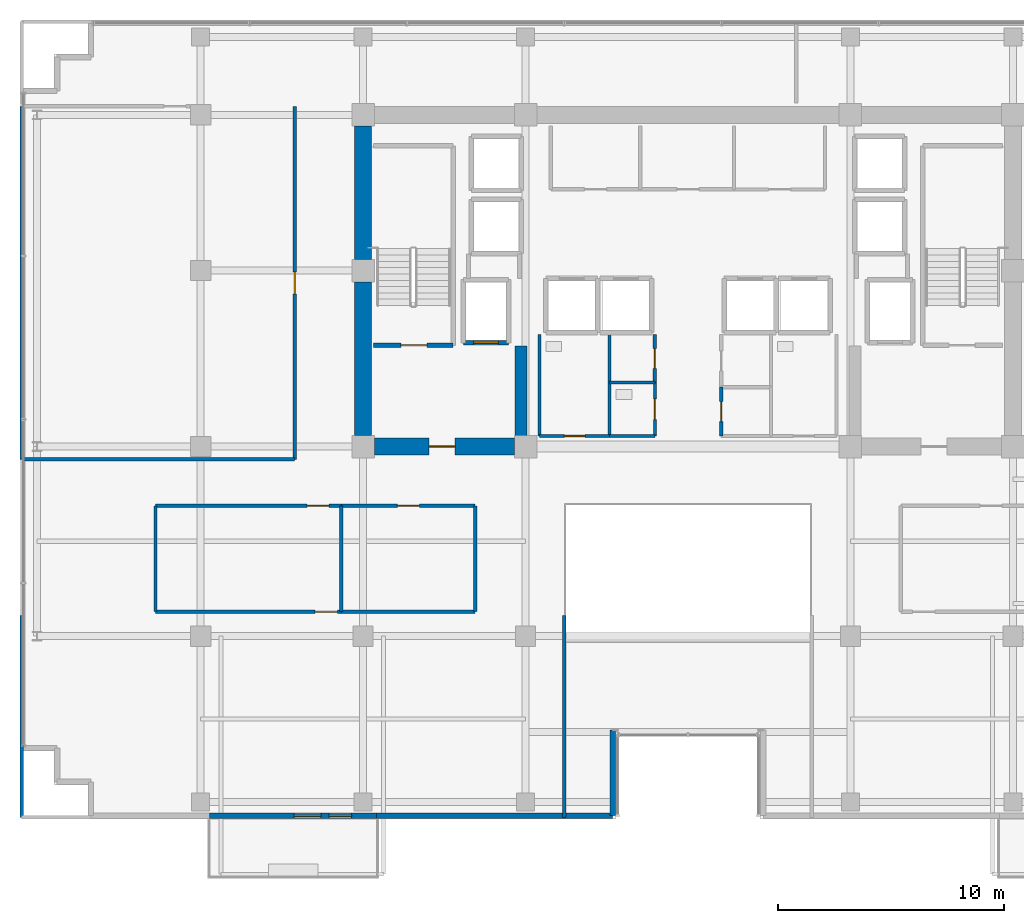
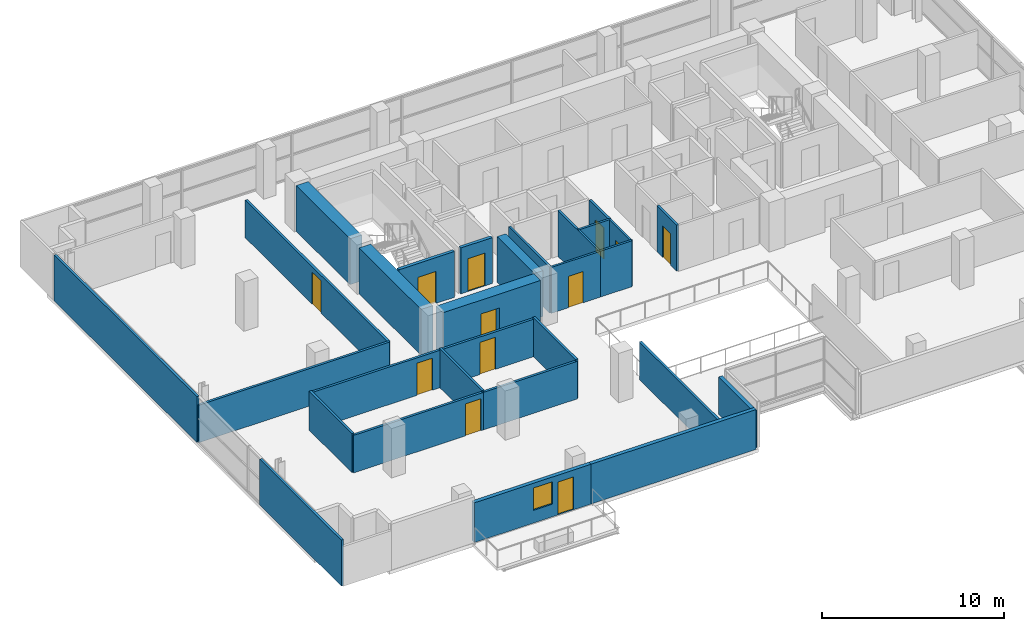
# One storey, part 19 of 25: 29 walls, 12 doors, 1 window, 13 openings.
"""IFC4 building model written with IfcOpenShell, lengths in metres."""

from ifc_helpers import new_model, si_unit, direction, frame, frame_2d, origin, place, context, subcontext, project, spatial, rectangle, extrude, source, transform, mapped, material, layer, layer_set, type_object, element, fill, save


model = new_model("IFC4")

# Units and contexts
model_context = context("Model", 3, precision=1e-05, world=origin(), true_north=direction((0.0, 1.0)))
body_context = subcontext(model_context, "Body", "Model", "MODEL_VIEW")
ifc_project = project(units=[si_unit("LENGTHUNIT", "METRE"), si_unit("AREAUNIT", "SQUARE_METRE"), si_unit("VOLUMEUNIT", "CUBIC_METRE"), si_unit("PLANEANGLEUNIT", "RADIAN"), si_unit("MASSUNIT", "GRAM", prefix="KILO")], contexts=[model_context])

# Site, building, storey
site_placement = place(None, origin())
site = spatial("IfcSite", under=ifc_project, at=site_placement, CompositionType="ELEMENT")
building_placement = place(site_placement, origin())
building = spatial("IfcBuilding", under=site, at=building_placement, Name="Zarnakvel Exchange Tower", CompositionType="ELEMENT")
storey_placement = place(building_placement, frame((0.0, 0.0, 100.0)))
storey = spatial("IfcBuildingStorey", under=building, at=storey_placement, Name="L27", CompositionType="ELEMENT", Elevation=100.0)

# Walls
ifc_material_1 = material(Name="Concrete C60/75", Category="concrete")
ifc_layer_1 = layer(ifc_material_1, 0.75)
ifc_layer_set_1 = layer_set([ifc_layer_1], Name="Concrete C60/75")
wall_type_1 = type_object("IfcWallType", Name="CW-C3", PredefinedType="SHEAR", material=ifc_layer_set_1)
wall_1_placement = place(storey_placement, frame((-14.39990234375, -0.699951171875, 0.0), z_axis=(0.0, 0.0, 1.0), x_axis=(0.0, 1.0, 0.0)))
element("IfcWall", 1, at=wall_1_placement, inside=storey, type_object=wall_type_1, Name="L27 Rear Core Shear Wall W1 (CW-C3)", PredefinedType="SHEAR", context=body_context, shape_type="SweptSolid", body=[
    extrude(rectangle(XDim=6.800048828125, YDim=0.75, at=frame_2d((3.39990234375, 0.0))), origin(), (0.0, 0.0, 1.0), 3.074951171875),
])
wall_2_placement = place(storey_placement, frame((-14.39990234375, 7.10009765625, 0.0), z_axis=(0.0, 0.0, 1.0), x_axis=(0.0, 1.0, 0.0)))
element("IfcWall", 2, at=wall_2_placement, inside=storey, type_object=wall_type_1, Name="L27 Rear Core Shear Wall W2 (CW-C3)", PredefinedType="SHEAR", context=body_context, shape_type="SweptSolid", body=[
    extrude(rectangle(XDim=5.89990234375, YDim=0.75, at=frame_2d((2.949951171875, 0.0))), origin(), (0.0, 0.0, 1.0), 3.074951171875),
])

# Wall, opening, door
wall_3_placement = place(storey_placement, frame((-7.699951171875, -1.199951171875, 0.0), z_axis=(0.0, 0.0, 1.0), x_axis=(-1.0, 0.0, 0.0)))
wall_3 = element("IfcWall", 3, at=wall_3_placement, inside=storey, type_object=wall_type_1, Name="L27 Rear Core Shear Wall SW (CW-C3)", PredefinedType="SHEAR", context=body_context, shape_type="SweptSolid", body=[
    extrude(rectangle(XDim=6.199951171875, YDim=0.75, at=frame_2d((3.10009765625, 0.0))), origin(), (0.0, 0.0, 1.0), 3.074951171875),
])
opening_1_placement = place(wall_3_placement, frame((2.625, 0.0, 0.0)))
opening_1 = element("IfcOpeningElement", 4, at=opening_1_placement, cuts=wall_3, Name="Opening D-L27-03", PredefinedType="OPENING", context=body_context, shape_type="SweptSolid", body=[
    extrude(rectangle(XDim=1.14990234375, YDim=2.14990234375, at=frame_2d((0.574951171875, 1.074951171875))), frame((0.0, 0.385009765625, 0.0), z_axis=(0.0, -1.0, 0.0), x_axis=(1.0, 0.0, 0.0)), (0.0, 0.0, 1.0), 0.77001953125),
])
ifc_material_2 = material(Name="Painted Galvanised Steel S355", Category="steel")
door_type_1 = type_object("IfcDoorType", Name="DT-04", OperationType="NOTDEFINED", PredefinedType="DOOR", material=ifc_material_2)
shared_shape_1 = source(origin(), body_context, "Body", "SweptSolid", [
    extrude(rectangle(XDim=1.14990234375, YDim=2.14990234375, at=frame_2d((0.574951171875, 1.074951171875))), frame((0.0, 0.02490234375, 0.0), z_axis=(0.0, -1.0, 0.0), x_axis=(1.0, 0.0, 0.0)), (0.0, 0.0, 1.0), 0.050048828125),
])
door_1_placement = place(opening_1_placement, origin())
door_1 = element("IfcDoor", 5, at=door_1_placement, inside=storey, type_object=door_type_1, Name="L27 Firefighting Lobby West Door D-L27-03", OperationType="SINGLE_SWING_RIGHT", OverallHeight=2.14990234375, OverallWidth=1.14990234375, PredefinedType="DOOR", context=body_context, shape_type="MappedRepresentation", body=[
    mapped(shared_shape_1, transform((0.0, 0.0, 0.0), x_axis=(1.0, 0.0, 0.0), y_axis=(0.0, 1.0, 0.0), z_axis=(0.0, 0.0, 1.0), scale=1.0)),
])
fill(opening_1, door_1)

# Wall
ifc_layer_2 = layer(ifc_material_1, 0.550048828125)
ifc_layer_set_2 = layer_set([ifc_layer_2], Name="Concrete C60/75")
wall_type_2 = type_object("IfcWallType", Name="CW-C4", PredefinedType="SHEAR", material=ifc_layer_set_2)
wall_4_placement = place(storey_placement, frame((-7.39990234375, -0.824951171875, 0.0), z_axis=(0.0, 0.0, 1.0), x_axis=(0.0, 1.0, 0.0)))
element("IfcWall", 6, at=wall_4_placement, inside=storey, type_object=wall_type_2, Name="L27 Rear Core Shear Wall IW (CW-C4)", PredefinedType="SHEAR", context=body_context, shape_type="SweptSolid", body=[
    extrude(rectangle(XDim=4.074951171875, YDim=0.550048828125, at=frame_2d((2.03759765625, 0.0))), origin(), (0.0, 0.0, 1.0), 3.074951171875),
])

# Wall, openings, door, window
ifc_material_3 = material(Name="Precast concrete C40/50", Category="concrete")
ifc_layer_3 = layer(ifc_material_3, 0.239990234375)
ifc_layer_set_3 = layer_set([ifc_layer_3], Name="Precast concrete C40/50")
wall_type_3 = type_object("IfcWallType", Name="EW-02", PredefinedType="SOLIDWALL", material=ifc_layer_set_3)
wall_5_placement = place(storey_placement, frame((-13.800048828125, -17.56005859375, 0.0), z_axis=(0.0, 0.0, 1.0), x_axis=(-1.0, 0.0, 0.0)))
wall_5 = element("IfcWall", 7, at=wall_5_placement, inside=storey, type_object=wall_type_3, Name="L27 Exterior Precast Spandrel Wall EW-BAL-L27-SW (EW-02)", PredefinedType="SOLIDWALL", context=body_context, shape_type="SweptSolid", body=[
    extrude(rectangle(XDim=7.39990234375, YDim=0.239990234375, at=frame_2d((3.699951171875, 0.0))), origin(), (0.0, 0.0, 1.0), 2.6650390625),
])
opening_2_placement = place(wall_5_placement, frame((1.110107421875, 0.0, 0.0)))
opening_2 = element("IfcOpeningElement", 8, at=opening_2_placement, cuts=wall_5, Name="Opening BD-L27-01", PredefinedType="OPENING", context=body_context, shape_type="SweptSolid", body=[
    extrude(rectangle(XDim=1.0, YDim=2.199951171875, at=frame_2d((0.5, 1.10009765625))), frame((0.0, 0.1298828125, 0.0), z_axis=(0.0, -1.0, 0.0), x_axis=(1.0, 0.0, 0.0)), (0.0, 0.0, 1.0), 0.260009765625),
])
opening_3_placement = place(wall_5_placement, frame((2.4599609375, 0.0, 0.85009765625)))
opening_3 = element("IfcOpeningElement", 9, at=opening_3_placement, cuts=wall_5, Name="Opening WN-04", PredefinedType="OPENING", context=body_context, shape_type="SweptSolid", body=[
    extrude(rectangle(XDim=1.199951171875, YDim=1.5, at=frame_2d((0.60009765625, 0.75))), frame((0.0, 0.1298828125, 0.0), z_axis=(0.0, -1.0, 0.0), x_axis=(1.0, 0.0, 0.0)), (0.0, 0.0, 1.0), 0.260009765625),
])
ifc_material_4 = material(Name="Architectural Bronze Anodised Aluminium", Category="aluminium")
door_type_2 = type_object("IfcDoorType", Name="DT-09", OperationType="NOTDEFINED", PredefinedType="DOOR", material=ifc_material_4)
shared_shape_2 = source(origin(), body_context, "Body", "SweptSolid", [
    extrude(rectangle(XDim=1.0, YDim=2.199951171875, at=frame_2d((0.5, 1.10009765625))), frame((0.0, 0.02490234375, 0.0), z_axis=(0.0, -1.0, 0.0), x_axis=(1.0, 0.0, 0.0)), (0.0, 0.0, 1.0), 0.050048828125),
])
door_2_placement = place(opening_2_placement, origin())
door_2 = element("IfcDoor", 10, at=door_2_placement, inside=storey, type_object=door_type_2, Name="L27 Planted Loggia Balcony Door BD-L27-01", OperationType="SINGLE_SWING_LEFT", OverallHeight=2.199951171875, OverallWidth=1.0, PredefinedType="DOOR", context=body_context, shape_type="MappedRepresentation", body=[
    mapped(shared_shape_2, transform((0.0, 0.0, 0.0), x_axis=(1.0, 0.0, 0.0), y_axis=(0.0, 1.0, 0.0), z_axis=(0.0, 0.0, 1.0), scale=1.0)),
])
fill(opening_2, door_2)
ifc_material_5 = material(Name="Double Low-E Laminated Vision Glass", Category="glass")
window_type = type_object("IfcWindowType", Name="WN-04", PartitioningType="SINGLE_PANEL", PredefinedType="WINDOW", material=ifc_material_5)
shared_shape_3 = source(origin(), body_context, "Body", "SweptSolid", [
    extrude(rectangle(XDim=1.199951171875, YDim=1.5, at=frame_2d((0.60009765625, 0.75))), frame((0.0, 0.030029296875, 0.0), z_axis=(0.0, -1.0, 0.0), x_axis=(1.0, 0.0, 0.0)), (0.0, 0.0, 1.0), 0.06005859375),
])
window_placement = place(opening_3_placement, origin())
window = element("IfcWindow", 11, at=window_placement, inside=storey, type_object=window_type, Name="L27 Loggia Daylight Window (WN-04)", OverallHeight=1.5, OverallWidth=1.199951171875, PartitioningType="SINGLE_PANEL", PredefinedType="WINDOW", context=body_context, shape_type="MappedRepresentation", body=[
    mapped(shared_shape_3, transform((0.0, 0.0, 0.0), x_axis=(1.0, 0.0, 0.0), y_axis=(0.0, 1.0, 0.0), z_axis=(0.0, 0.0, 1.0), scale=1.0)),
])
fill(opening_3, window)

# Walls
wall_6_placement = place(storey_placement, frame((-3.340087890625, -17.56005859375, 0.0), z_axis=(0.0, 0.0, 1.0), x_axis=(0.0, 1.0, 0.0)))
element("IfcWall", 12, at=wall_6_placement, inside=storey, type_object=wall_type_3, Name="L27 Exterior Precast Spandrel Wall EWC-L27-20 (EW-02)", PredefinedType="SOLIDWALL", context=body_context, shape_type="SweptSolid", body=[
    extrude(rectangle(XDim=3.800048828125, YDim=0.239990234375, at=frame_2d((1.89990234375, 0.0))), origin(), (0.0, 0.0, 1.0), 2.514892578125),
])
wall_7_placement = place(storey_placement, frame((-13.800048828125, -17.56005859375, 0.0), z_axis=(0.0, 0.0, 1.0), x_axis=(1.0, 0.0, 0.0)))
element("IfcWall", 13, at=wall_7_placement, inside=storey, type_object=wall_type_3, Name="L27 Exterior Precast Spandrel Wall EWC-L27-21 (EW-02)", PredefinedType="SOLIDWALL", context=body_context, shape_type="SweptSolid", body=[
    extrude(rectangle(XDim=10.4599609375, YDim=0.239990234375, at=frame_2d((5.22998046875, 0.0))), origin(), (0.0, 0.0, 1.0), 2.6650390625),
])

# Wall, opening, door
ifc_material_6 = material(Name="Fire-Rated Gypsum Stud Partition", Category="gypsum")
ifc_layer_4 = layer(ifc_material_6, 0.14990234375)
ifc_layer_set_4 = layer_set([ifc_layer_4], Name="Fire-Rated Gypsum Stud Partition")
wall_type_4 = type_object("IfcWallType", Name="PT-01", PredefinedType="PARTITIONING", material=ifc_layer_set_4)
wall_8_placement = place(storey_placement, frame((-1.469970703125, 3.760009765625, 0.0), z_axis=(0.0, 0.0, 1.0), x_axis=(0.0, -1.0, 0.0)))
wall_8 = element("IfcWall", 14, at=wall_8_placement, inside=storey, type_object=wall_type_4, Name="L27 Partition Wall PWALL-L27-024 (PT-01)", PredefinedType="PARTITIONING", context=body_context, shape_type="SweptSolid", body=[
    extrude(rectangle(XDim=2.130126953125, YDim=0.14990234375, at=frame_2d((1.06494140625, 0.0))), origin(), (0.0, 0.0, 1.0), 3.074951171875),
])
opening_4_placement = place(wall_8_placement, frame((0.6201171875, 0.0, 0.0)))
opening_4 = element("IfcOpeningElement", 15, at=opening_4_placement, cuts=wall_8, Name="Opening D-L27-10", PredefinedType="OPENING", context=body_context, shape_type="SweptSolid", body=[
    extrude(rectangle(XDim=0.8798828125, YDim=2.10009765625, at=frame_2d((0.43994140625, 1.050048828125))), frame((0.0, 0.0849609375, 0.0), z_axis=(0.0, -1.0, 0.0), x_axis=(1.0, 0.0, 0.0)), (0.0, 0.0, 1.0), 0.169921875),
])
door_type_3 = type_object("IfcDoorType", Name="DT-08", OperationType="NOTDEFINED", PredefinedType="DOOR", material=ifc_material_2)
shared_shape_4 = source(origin(), body_context, "Body", "SweptSolid", [
    extrude(rectangle(XDim=0.8798828125, YDim=2.10009765625, at=frame_2d((0.43994140625, 1.050048828125))), frame((0.0, 0.02490234375, 0.0), z_axis=(0.0, -1.0, 0.0), x_axis=(1.0, 0.0, 0.0)), (0.0, 0.0, 1.0), 0.050048828125),
])
door_3_placement = place(opening_4_placement, origin())
door_3 = element("IfcDoor", 16, at=door_3_placement, inside=storey, type_object=door_type_3, Name="L27 Core Comms Room Door D-L27-10", OperationType="SINGLE_SWING_LEFT", OverallHeight=2.10009765625, OverallWidth=0.8798828125, PredefinedType="DOOR", context=body_context, shape_type="MappedRepresentation", body=[
    mapped(shared_shape_4, transform((0.0, 0.0, 0.0), x_axis=(1.0, 0.0, 0.0), y_axis=(0.0, 1.0, 0.0), z_axis=(0.0, 0.0, 1.0), scale=1.0)),
])
fill(opening_4, door_3)

wall_9_placement = place(storey_placement, frame((1.469970703125, -0.72998046875, 0.0), z_axis=(0.0, 0.0, 1.0), x_axis=(0.0, 1.0, 0.0)))
wall_9 = element("IfcWall", 17, at=wall_9_placement, inside=storey, type_object=wall_type_4, Name="L27 Partition Wall PWALL-L27-027 (PT-01)", PredefinedType="PARTITIONING", context=body_context, shape_type="SweptSolid", body=[
    extrude(rectangle(XDim=2.159912109375, YDim=0.14990234375, at=frame_2d((1.080078125, 0.0))), origin(), (0.0, 0.0, 1.0), 3.074951171875),
])
opening_5_placement = place(wall_9_placement, frame((0.639892578125, 0.0, 0.0)))
opening_5 = element("IfcOpeningElement", 18, at=opening_5_placement, cuts=wall_9, Name="Opening D-L27-11", PredefinedType="OPENING", context=body_context, shape_type="SweptSolid", body=[
    extrude(rectangle(XDim=0.8798828125, YDim=2.10009765625, at=frame_2d((0.43994140625, 1.050048828125))), frame((0.0, 0.0849609375, 0.0), z_axis=(0.0, -1.0, 0.0), x_axis=(1.0, 0.0, 0.0)), (0.0, 0.0, 1.0), 0.169921875),
])
door_4_placement = place(opening_5_placement, origin())
door_4 = element("IfcDoor", 19, at=door_4_placement, inside=storey, type_object=door_type_3, Name="L27 Janitor Store Door D-L27-11", OperationType="SINGLE_SWING_RIGHT", OverallHeight=2.10009765625, OverallWidth=0.8798828125, PredefinedType="DOOR", context=body_context, shape_type="MappedRepresentation", body=[
    mapped(shared_shape_4, transform((0.0, 0.0, 0.0), x_axis=(1.0, 0.0, 0.0), y_axis=(0.0, 1.0, 0.0), z_axis=(0.0, 0.0, 1.0), scale=1.0)),
])
fill(opening_5, door_4)

wall_10_placement = place(storey_placement, frame((-15.360595703125, -8.52001953125, 0.0), z_axis=(0.0, 0.0, 1.0), x_axis=(-1.0, 0.0, 0.0)))
wall_10 = element("IfcWall", 20, at=wall_10_placement, inside=storey, type_object=wall_type_4, Name="L27 Partition Wall PWALL-L27-033 (PT-01)", PredefinedType="PARTITIONING", context=body_context, shape_type="SweptSolid", body=[
    extrude(rectangle(XDim=8.23876953125, YDim=0.14990234375, at=frame_2d((4.119384765625, 0.0))), origin(), (0.0, 0.0, 1.0), 2.514892578125),
])
opening_6_placement = place(wall_10_placement, frame((0.179931640625, 0.0, 0.0)))
opening_6 = element("IfcOpeningElement", 21, at=opening_6_placement, cuts=wall_10, Name="Opening D-L27-16", PredefinedType="OPENING", context=body_context, shape_type="SweptSolid", body=[
    extrude(rectangle(XDim=0.97998046875, YDim=2.14990234375, at=frame_2d((0.489990234375, 1.074951171875))), frame((0.0, 0.0849609375, 0.0), z_axis=(0.0, -1.0, 0.0), x_axis=(1.0, 0.0, 0.0)), (0.0, 0.0, 1.0), 0.169921875),
])
ifc_material_7 = material(Name="Timber Acoustic Veneer", Category="wood")
door_type_4 = type_object("IfcDoorType", Name="DT-05", OperationType="NOTDEFINED", PredefinedType="DOOR", material=ifc_material_7)
shared_shape_5 = source(origin(), body_context, "Body", "SweptSolid", [
    extrude(rectangle(XDim=0.97998046875, YDim=2.14990234375, at=frame_2d((0.489990234375, 1.074951171875))), frame((0.0, 0.02490234375, 0.0), z_axis=(0.0, -1.0, 0.0), x_axis=(1.0, 0.0, 0.0)), (0.0, 0.0, 1.0), 0.050048828125),
])
door_5_placement = place(opening_6_placement, origin())
door_5 = element("IfcDoor", 22, at=door_5_placement, inside=storey, type_object=door_type_4, Name="L27 Institutional Dealing Room Door D-L27-16", OperationType="SINGLE_SWING_LEFT", OverallHeight=2.14990234375, OverallWidth=0.97998046875, PredefinedType="DOOR", context=body_context, shape_type="MappedRepresentation", body=[
    mapped(shared_shape_5, transform((0.0, 0.0, 0.0), x_axis=(1.0, 0.0, 0.0), y_axis=(0.0, 1.0, 0.0), z_axis=(0.0, 0.0, 1.0), scale=1.0)),
])
fill(opening_6, door_5)

wall_11_placement = place(storey_placement, frame((-23.599365234375, -3.830078125, 0.0), z_axis=(0.0, 0.0, 1.0), x_axis=(1.0, 0.0, 0.0)))
wall_11 = element("IfcWall", 23, at=wall_11_placement, inside=storey, type_object=wall_type_4, Name="L27 Partition Wall PWALL-L27-034 (PT-01)", PredefinedType="PARTITIONING", context=body_context, shape_type="SweptSolid", body=[
    extrude(rectangle(XDim=8.23876953125, YDim=0.14990234375, at=frame_2d((4.119384765625, 0.0))), origin(), (0.0, 0.0, 1.0), 2.514892578125),
])
opening_7_placement = place(wall_11_placement, frame((6.71435546875, 0.0, 0.0)))
opening_7 = element("IfcOpeningElement", 24, at=opening_7_placement, cuts=wall_11, Name="Opening D-L27-14", PredefinedType="OPENING", context=body_context, shape_type="SweptSolid", body=[
    extrude(rectangle(XDim=0.97998046875, YDim=2.14990234375, at=frame_2d((0.489990234375, 1.074951171875))), frame((0.0, 0.0849609375, 0.0), z_axis=(0.0, -1.0, 0.0), x_axis=(1.0, 0.0, 0.0)), (0.0, 0.0, 1.0), 0.169921875),
])
door_6_placement = place(opening_7_placement, origin())
door_6 = element("IfcDoor", 25, at=door_6_placement, inside=storey, type_object=door_type_4, Name="L27 Clearing Office Door D-L27-14", OperationType="SINGLE_SWING_LEFT", OverallHeight=2.14990234375, OverallWidth=0.97998046875, PredefinedType="DOOR", context=body_context, shape_type="MappedRepresentation", body=[
    mapped(shared_shape_5, transform((0.0, 0.0, 0.0), x_axis=(1.0, 0.0, 0.0), y_axis=(0.0, 1.0, 0.0), z_axis=(0.0, 0.0, 1.0), scale=1.0)),
])
fill(opening_7, door_6)

# Walls
for number, where, z_axis, x_axis, name in (
    (26, (-23.599365234375, -8.52001953125, 0.0), (0.0, 0.0, 1.0), (0.0, 1.0, 0.0), "L27 Partition Wall PWALL-L27-035 (PT-01)"),
    (27, (-15.360595703125, -3.830078125, 0.0), (0.0, 0.0, 1.0), (0.0, -1.0, 0.0), "L27 Partition Wall PWALL-L27-036 (PT-01)"),
):
    element("IfcWall", number, at=place(storey_placement, frame(where, z_axis=z_axis, x_axis=x_axis)), inside=storey, type_object=wall_type_4, Name=name, PredefinedType="PARTITIONING", context=body_context, shape_type="SweptSolid", body=[
        extrude(rectangle(XDim=4.68994140625, YDim=0.14990234375, at=frame_2d((2.344970703125, 0.0))), origin(), (0.0, 0.0, 1.0), 2.614990234375),
    ])
wall_12_placement = place(storey_placement, frame((-9.429931640625, -8.52001953125, 0.0), z_axis=(0.0, 0.0, 1.0), x_axis=(-1.0, 0.0, 0.0)))
element("IfcWall", 28, at=wall_12_placement, inside=storey, type_object=wall_type_4, Name="L27 Partition Wall PWALL-L27-037 (PT-01)", PredefinedType="PARTITIONING", context=body_context, shape_type="SweptSolid", body=[
    extrude(rectangle(XDim=5.9306640625, YDim=0.14990234375, at=frame_2d((2.96533203125, 0.0))), origin(), (0.0, 0.0, 1.0), 2.514892578125),
])

# Wall, opening, door
wall_13_placement = place(storey_placement, frame((-15.360595703125, -3.830078125, 0.0), z_axis=(0.0, 0.0, 1.0), x_axis=(1.0, 0.0, 0.0)))
wall_13 = element("IfcWall", 29, at=wall_13_placement, inside=storey, type_object=wall_type_4, Name="L27 Partition Wall PWALL-L27-038 (PT-01)", PredefinedType="PARTITIONING", context=body_context, shape_type="SweptSolid", body=[
    extrude(rectangle(XDim=5.9306640625, YDim=0.14990234375, at=frame_2d((2.96533203125, 0.0))), origin(), (0.0, 0.0, 1.0), 2.514892578125),
])
opening_8_placement = place(wall_13_placement, frame((2.4755859375, 0.0, 0.0)))
opening_8 = element("IfcOpeningElement", 30, at=opening_8_placement, cuts=wall_13, Name="Opening D-L27-15", PredefinedType="OPENING", context=body_context, shape_type="SweptSolid", body=[
    extrude(rectangle(XDim=0.97998046875, YDim=2.14990234375, at=frame_2d((0.489990234375, 1.074951171875))), frame((0.0, 0.0849609375, 0.0), z_axis=(0.0, -1.0, 0.0), x_axis=(1.0, 0.0, 0.0)), (0.0, 0.0, 1.0), 0.169921875),
])
door_7_placement = place(opening_8_placement, origin())
door_7 = element("IfcDoor", 31, at=door_7_placement, inside=storey, type_object=door_type_4, Name="L27 Executive Office Door D-L27-15", OperationType="SINGLE_SWING_RIGHT", OverallHeight=2.14990234375, OverallWidth=0.97998046875, PredefinedType="DOOR", context=body_context, shape_type="MappedRepresentation", body=[
    mapped(shared_shape_5, transform((0.0, 0.0, 0.0), x_axis=(1.0, 0.0, 0.0), y_axis=(0.0, 1.0, 0.0), z_axis=(0.0, 0.0, 1.0), scale=1.0)),
])
fill(opening_8, door_7)

# Walls
wall_14_placement = place(storey_placement, frame((-9.429931640625, -3.830078125, 0.0), z_axis=(0.0, 0.0, 1.0), x_axis=(0.0, -1.0, 0.0)))
element("IfcWall", 32, at=wall_14_placement, inside=storey, type_object=wall_type_4, Name="L27 Partition Wall PWALL-L27-039 (PT-01)", PredefinedType="PARTITIONING", context=body_context, shape_type="SweptSolid", body=[
    extrude(rectangle(XDim=4.68994140625, YDim=0.14990234375, at=frame_2d((2.344970703125, 0.0))), origin(), (0.0, 0.0, 1.0), 2.614990234375),
])
wall_15_placement = place(storey_placement, frame((-29.530029296875, -17.6298828125, 0.0), z_axis=(0.0, 0.0, 1.0), x_axis=(0.0, 1.0, 0.0)))
element("IfcWall", 33, at=wall_15_placement, inside=storey, type_object=wall_type_4, Name="L27 Partition Wall PWALL-L27-041 (PT-01)", PredefinedType="PARTITIONING", context=body_context, shape_type="SweptSolid", body=[
    extrude(rectangle(XDim=8.949951171875, YDim=0.14990234375, at=frame_2d((4.47509765625, 0.0))), origin(), (0.0, 0.0, 1.0), 3.074951171875),
])
wall_16_placement = place(storey_placement, frame((-5.47998046875, -8.679931640625, 0.0), z_axis=(0.0, 0.0, 1.0), x_axis=(0.0, -1.0, 0.0)))
element("IfcWall", 34, at=wall_16_placement, inside=storey, type_object=wall_type_4, Name="L27 Partition Wall PWALL-L27-042 (PT-01)", PredefinedType="PARTITIONING", context=body_context, shape_type="SweptSolid", body=[
    extrude(rectangle(XDim=8.949951171875, YDim=0.14990234375, at=frame_2d((4.47509765625, 0.0))), origin(), (0.0, 0.0, 1.0), 2.514892578125),
])
wall_17_placement = place(storey_placement, frame((-17.429931640625, -1.77001953125, 0.0), z_axis=(0.0, 0.0, 1.0), x_axis=(-1.0, 0.0, 0.0)))
element("IfcWall", 35, at=wall_17_placement, inside=storey, type_object=wall_type_4, Name="L27 Partition Wall PWALL-L27-050 (PT-01)", PredefinedType="PARTITIONING", context=body_context, shape_type="SweptSolid", body=[
    extrude(rectangle(XDim=12.10009765625, YDim=0.14990234375, at=frame_2d((6.050048828125, 0.0))), origin(), (0.0, 0.0, 1.0), 2.514892578125),
])
wall_18_placement = place(storey_placement, frame((-29.530029296875, -1.77001953125, 0.0), z_axis=(0.0, 0.0, 1.0), x_axis=(0.0, 1.0, 0.0)))
element("IfcWall", 36, at=wall_18_placement, inside=storey, type_object=wall_type_4, Name="L27 Partition Wall PWALL-L27-052 (PT-01)", PredefinedType="PARTITIONING", context=body_context, shape_type="SweptSolid", body=[
    extrude(rectangle(XDim=15.64990234375, YDim=0.14990234375, at=frame_2d((7.824951171875, 0.0))), origin(), (0.0, 0.0, 1.0), 3.074951171875),
])

# Wall, opening, door
wall_19_placement = place(storey_placement, frame((-17.429931640625, 13.8798828125, 0.0), z_axis=(0.0, 0.0, 1.0), x_axis=(0.0, -1.0, 0.0)))
wall_19 = element("IfcWall", 37, at=wall_19_placement, inside=storey, type_object=wall_type_4, Name="L27 Partition Wall PWALL-L27-053 (PT-01)", PredefinedType="PARTITIONING", context=body_context, shape_type="SweptSolid", body=[
    extrude(rectangle(XDim=15.64990234375, YDim=0.14990234375, at=frame_2d((7.824951171875, 0.0))), origin(), (0.0, 0.0, 1.0), 2.514892578125),
])
opening_9_placement = place(wall_19_placement, frame((7.3349609375, 0.0, 0.0)))
opening_9 = element("IfcOpeningElement", 38, at=opening_9_placement, cuts=wall_19, Name="Opening D-L27-19", PredefinedType="OPENING", context=body_context, shape_type="SweptSolid", body=[
    extrude(rectangle(XDim=0.97998046875, YDim=2.14990234375, at=frame_2d((0.489990234375, 1.074951171875))), frame((0.0, 0.0849609375, 0.0), z_axis=(0.0, -1.0, 0.0), x_axis=(1.0, 0.0, 0.0)), (0.0, 0.0, 1.0), 0.169921875),
])
door_8_placement = place(opening_9_placement, origin())
door_8 = element("IfcDoor", 39, at=door_8_placement, inside=storey, type_object=door_type_4, Name="L27 Meeting Room Door D-L27-19", OperationType="SINGLE_SWING_RIGHT", OverallHeight=2.14990234375, OverallWidth=0.97998046875, PredefinedType="DOOR", context=body_context, shape_type="MappedRepresentation", body=[
    mapped(shared_shape_5, transform((0.0, 0.0, 0.0), x_axis=(1.0, 0.0, 0.0), y_axis=(0.0, 1.0, 0.0), z_axis=(0.0, 0.0, 1.0), scale=1.0)),
])
fill(opening_9, door_8)

ifc_material_8 = material(Name="Moisture-Resistant Tile-Faced Partition", Category="gypsum")
ifc_layer_5 = layer(ifc_material_8, 0.135009765625)
ifc_layer_set_5 = layer_set([ifc_layer_5], Name="Moisture-Resistant Tile-Faced Partition")
wall_type_5 = type_object("IfcWallType", Name="PT-03", PredefinedType="PARTITIONING", material=ifc_layer_set_5)
wall_20_placement = place(storey_placement, frame((-3.469970703125, -0.72998046875, 0.0), z_axis=(0.0, 0.0, 1.0), x_axis=(-1.0, 0.0, 0.0)))
wall_20 = element("IfcWall", 40, at=wall_20_placement, inside=storey, type_object=wall_type_5, Name="L27 Partition Wall PWALL-L27-018 (PT-03)", PredefinedType="PARTITIONING", context=body_context, shape_type="SweptSolid", body=[
    extrude(rectangle(XDim=3.110107421875, YDim=0.135009765625, at=frame_2d((1.55517578125, 0.0))), origin(), (0.0, 0.0, 1.0), 3.074951171875),
])
opening_10_placement = place(wall_20_placement, frame((1.090087890625, 0.0, 0.0)))
opening_10 = element("IfcOpeningElement", 41, at=opening_10_placement, cuts=wall_20, Name="Opening D-L27-08", PredefinedType="OPENING", context=body_context, shape_type="SweptSolid", body=[
    extrude(rectangle(XDim=0.919921875, YDim=2.10009765625, at=frame_2d((0.4599609375, 1.050048828125))), frame((0.0, 0.077392578125, 0.0), z_axis=(0.0, -1.0, 0.0), x_axis=(1.0, 0.0, 0.0)), (0.0, 0.0, 1.0), 0.155029296875),
])
ifc_material_9 = material(Name="Moisture-Resistant Laminate Timber", Category="wood")
door_type_5 = type_object("IfcDoorType", Name="DT-07", OperationType="NOTDEFINED", PredefinedType="DOOR", material=ifc_material_9)
shared_shape_6 = source(origin(), body_context, "Body", "SweptSolid", [
    extrude(rectangle(XDim=0.919921875, YDim=2.10009765625, at=frame_2d((0.4599609375, 1.050048828125))), frame((0.0, 0.02490234375, 0.0), z_axis=(0.0, -1.0, 0.0), x_axis=(1.0, 0.0, 0.0)), (0.0, 0.0, 1.0), 0.050048828125),
])
door_9_placement = place(opening_10_placement, origin())
door_9 = element("IfcDoor", 42, at=door_9_placement, inside=storey, type_object=door_type_5, Name="L27 Male Toilet Door D-L27-08", OperationType="SINGLE_SWING_LEFT", OverallHeight=2.10009765625, OverallWidth=0.919921875, PredefinedType="DOOR", context=body_context, shape_type="MappedRepresentation", body=[
    mapped(shared_shape_6, transform((0.0, 0.0, 0.0), x_axis=(1.0, 0.0, 0.0), y_axis=(0.0, 1.0, 0.0), z_axis=(0.0, 0.0, 1.0), scale=1.0)),
])
fill(opening_10, door_9)

# Walls
for number, where, z_axis, x_axis, name in (
    (43, (-6.580078125, -0.72998046875, 0.0), (0.0, 0.0, 1.0), (0.0, 1.0, 0.0), "L27 Partition Wall PWALL-L27-019 (PT-03)"),
    (44, (-3.469970703125, 3.760009765625, 0.0), (0.0, 0.0, 1.0), (0.0, -1.0, 0.0), "L27 Partition Wall PWALL-L27-020 (PT-03)"),
):
    element("IfcWall", number, at=place(storey_placement, frame(where, z_axis=z_axis, x_axis=x_axis)), inside=storey, type_object=wall_type_5, Name=name, PredefinedType="PARTITIONING", context=body_context, shape_type="SweptSolid", body=[
        extrude(rectangle(XDim=4.489990234375, YDim=0.135009765625, at=frame_2d((2.2451171875, 0.0))), origin(), (0.0, 0.0, 1.0), 3.074951171875),
    ])
for number, where, z_axis, x_axis, name in (
    (45, (-1.469970703125, -0.72998046875, 0.0), (0.0, 0.0, 1.0), (-1.0, 0.0, 0.0), "L27 Partition Wall PWALL-L27-021 (PT-03)"),
    (46, (-3.469970703125, 1.6298828125, 0.0), (0.0, 0.0, 1.0), (1.0, 0.0, 0.0), "L27 Partition Wall PWALL-L27-022 (PT-03)"),
):
    element("IfcWall", number, at=place(storey_placement, frame(where, z_axis=z_axis, x_axis=x_axis)), inside=storey, type_object=wall_type_5, Name=name, PredefinedType="PARTITIONING", context=body_context, shape_type="SweptSolid", body=[
        extrude(rectangle(XDim=2.0, YDim=0.135009765625, at=frame_2d((1.0, 0.0))), origin(), (0.0, 0.0, 1.0), 3.074951171875),
    ])

# Wall, opening, door
wall_21_placement = place(storey_placement, frame((-1.469970703125, 1.6298828125, 0.0), z_axis=(0.0, 0.0, 1.0), x_axis=(0.0, -1.0, 0.0)))
wall_21 = element("IfcWall", 47, at=wall_21_placement, inside=storey, type_object=wall_type_5, Name="L27 Partition Wall PWALL-L27-023 (PT-03)", PredefinedType="PARTITIONING", context=body_context, shape_type="SweptSolid", body=[
    extrude(rectangle(XDim=2.35986328125, YDim=0.135009765625, at=frame_2d((1.179931640625, 0.0))), origin(), (0.0, 0.0, 1.0), 3.074951171875),
])
opening_11_placement = place(wall_21_placement, frame((0.719970703125, 0.0, 0.0)))
opening_11 = element("IfcOpeningElement", 48, at=opening_11_placement, cuts=wall_21, Name="Opening D-L27-09", PredefinedType="OPENING", context=body_context, shape_type="SweptSolid", body=[
    extrude(rectangle(XDim=0.919921875, YDim=2.10009765625, at=frame_2d((0.4599609375, 1.050048828125))), frame((0.0, 0.077392578125, 0.0), z_axis=(0.0, -1.0, 0.0), x_axis=(1.0, 0.0, 0.0)), (0.0, 0.0, 1.0), 0.155029296875),
])
door_10_placement = place(opening_11_placement, origin())
door_10 = element("IfcDoor", 49, at=door_10_placement, inside=storey, type_object=door_type_5, Name="L27 Accessible Toilet Door D-L27-09", OperationType="SINGLE_SWING_RIGHT", OverallHeight=2.10009765625, OverallWidth=0.919921875, PredefinedType="DOOR", context=body_context, shape_type="MappedRepresentation", body=[
    mapped(shared_shape_6, transform((0.0, 0.0, 0.0), x_axis=(1.0, 0.0, 0.0), y_axis=(0.0, 1.0, 0.0), z_axis=(0.0, 0.0, 1.0), scale=1.0)),
])
fill(opening_11, door_10)

ifc_material_10 = material(Name="Concrete C40/50", Category="concrete")
ifc_layer_6 = layer(ifc_material_10, 0.199951171875)
ifc_layer_set_6 = layer_set([ifc_layer_6], Name="Concrete C40/50")
wall_type_6 = type_object("IfcWallType", Name="SW-01", PredefinedType="SOLIDWALL", material=ifc_layer_set_6)
wall_22_placement = place(storey_placement, frame((-7.949951171875, 3.39990234375, 0.0), z_axis=(0.0, 0.0, 1.0), x_axis=(-1.0, 0.0, 0.0)))
wall_22 = element("IfcWall", 50, at=wall_22_placement, inside=storey, type_object=wall_type_6, Name="L27 FL-01 Hoistway Wall South", PredefinedType="SOLIDWALL", context=body_context, shape_type="SweptSolid", body=[
    extrude(rectangle(XDim=2.0, YDim=0.199951171875, at=frame_2d((1.0, 0.0))), origin(), (0.0, 0.0, 1.0), 3.074951171875),
])
opening_12_placement = place(wall_22_placement, frame((0.449951171875, 0.0, 0.0)))
opening_12 = element("IfcOpeningElement", 51, at=opening_12_placement, cuts=wall_22, Name="Opening LD-FL-01-L27", PredefinedType="OPENING", context=body_context, shape_type="SweptSolid", body=[
    extrude(rectangle(XDim=1.10009765625, YDim=2.199951171875, at=frame_2d((0.550048828125, 1.10009765625))), frame((0.0, 0.10986328125, 0.0), z_axis=(0.0, -1.0, 0.0), x_axis=(1.0, 0.0, 0.0)), (0.0, 0.0, 1.0), 0.219970703125),
])
ifc_material_11 = material(Name="Brushed Stainless Steel", Category="steel")
door_type_6 = type_object("IfcDoorType", Name="LDT-01", OperationType="NOTDEFINED", PredefinedType="DOOR", material=ifc_material_11)
shared_shape_7 = source(origin(), body_context, "Body", "SweptSolid", [
    extrude(rectangle(XDim=1.10009765625, YDim=2.199951171875, at=frame_2d((0.550048828125, 1.10009765625))), frame((0.0, 0.02490234375, 0.0), z_axis=(0.0, -1.0, 0.0), x_axis=(1.0, 0.0, 0.0)), (0.0, 0.0, 1.0), 0.050048828125),
])
door_11_placement = place(opening_12_placement, origin())
door_11 = element("IfcDoor", 52, at=door_11_placement, inside=storey, type_object=door_type_6, Name="L27 FL-01 Lift Landing Door LD-FL-01-L27", OperationType="DOUBLE_DOOR_SLIDING", OverallHeight=2.199951171875, OverallWidth=1.10009765625, PredefinedType="DOOR", context=body_context, shape_type="MappedRepresentation", body=[
    mapped(shared_shape_7, transform((0.0, 0.0, 0.0), x_axis=(1.0, 0.0, 0.0), y_axis=(0.0, 1.0, 0.0), z_axis=(0.0, 0.0, 1.0), scale=1.0)),
])
fill(opening_12, door_11)

ifc_layer_7 = layer(ifc_material_10, 0.199951171875)
ifc_layer_set_7 = layer_set([ifc_layer_7], Name="Concrete C40/50")
wall_type_7 = type_object("IfcWallType", Name="SW-02", PredefinedType="SOLIDWALL", material=ifc_layer_set_7)
wall_23_placement = place(storey_placement, frame((-10.409912109375, 3.2900390625, 0.0), z_axis=(0.0, 0.0, 1.0), x_axis=(-1.0, 0.0, 0.0)))
wall_23 = element("IfcWall", 53, at=wall_23_placement, inside=storey, type_object=wall_type_7, Name="L27 Stairwell Core Wall PWALL-L27-001 (SW-02)", PredefinedType="SOLIDWALL", context=body_context, shape_type="SweptSolid", body=[
    extrude(rectangle(XDim=3.52001953125, YDim=0.199951171875, at=frame_2d((1.760009765625, 0.0))), origin(), (0.0, 0.0, 1.0), 3.074951171875),
])
opening_13_placement = place(wall_23_placement, frame((1.1650390625, 0.0, 0.0)))
opening_13 = element("IfcOpeningElement", 54, at=opening_13_placement, cuts=wall_23, Name="Opening D-L27-01", PredefinedType="OPENING", context=body_context, shape_type="SweptSolid", body=[
    extrude(rectangle(XDim=1.14990234375, YDim=2.14990234375, at=frame_2d((0.574951171875, 1.074951171875))), frame((0.0, 0.10986328125, 0.0), z_axis=(0.0, -1.0, 0.0), x_axis=(1.0, 0.0, 0.0)), (0.0, 0.0, 1.0), 0.219970703125),
])
door_12_placement = place(opening_13_placement, origin())
door_12 = element("IfcDoor", 55, at=door_12_placement, inside=storey, type_object=door_type_1, Name="L27 Stairwell ST-01 Door D-L27-01", OperationType="SINGLE_SWING_RIGHT", OverallHeight=2.14990234375, OverallWidth=1.14990234375, PredefinedType="DOOR", context=body_context, shape_type="MappedRepresentation", body=[
    mapped(shared_shape_1, transform((0.0, 0.0, 0.0), x_axis=(1.0, 0.0, 0.0), y_axis=(0.0, 1.0, 0.0), z_axis=(0.0, 0.0, 1.0), scale=1.0)),
])
fill(opening_13, door_12)

save(model, "model.ifc")
